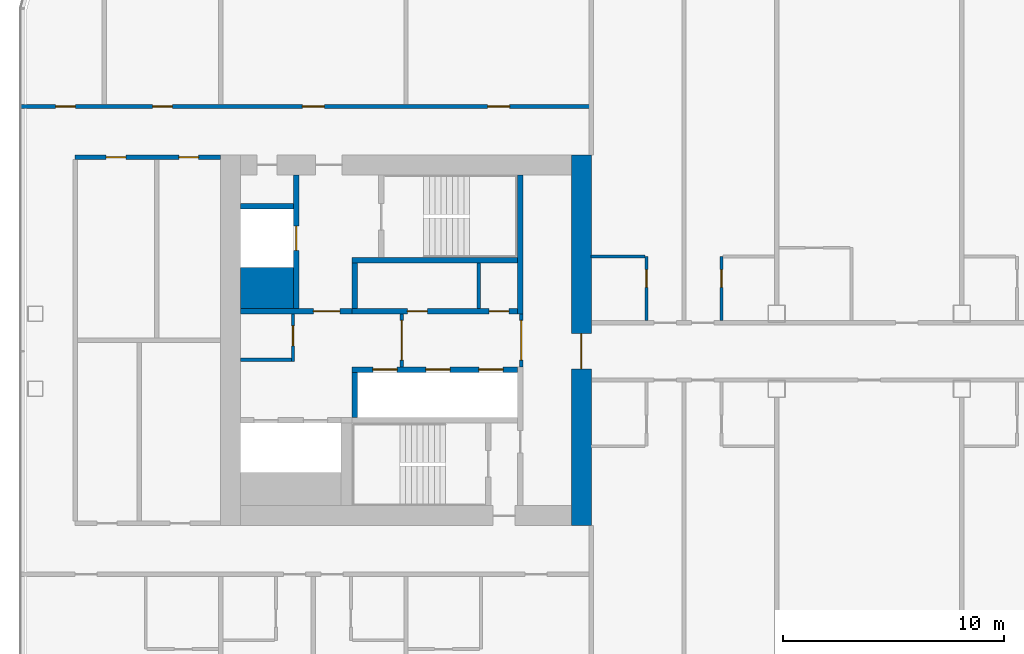
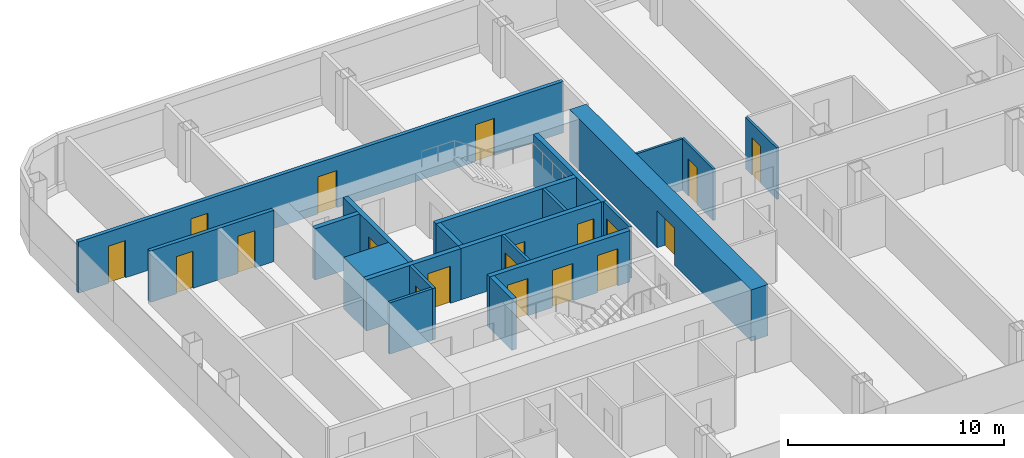
# One storey, part 13 of 26: 21 walls, 19 doors, 19 openings.
"""IFC4 building model written with IfcOpenShell, lengths in metres."""

import ifcopenshell
import ifcopenshell.guid

model = None  # the IFC model being written
_history = None  # IfcOwnerHistory: only IFC2X3 demands one
_inside = {}  # id of a spatial element -> (the spatial element, [elements in it])
_under = {}  # id of a project, library or spatial element -> (it, [spatial elements below it])
_declared = {}  # id of a project -> (the project, [libraries it declares])
_typed = {}  # id of a type object -> (the type object, [elements of that type])
_made_of = {}  # id of a material, layer set ... -> (it, [elements and type objects made of it])


def new_model(schema):
    """Start an empty IFC model of exactly this schema.

    Asked for "IFC4X3", IfcOpenShell would pick the latest addendum, in which some entities
    have other attributes; the version numbers below select the first issue.
    IFC2X3 requires an IfcOwnerHistory on every rooted entity: one is made here for all.
    """
    global model, _history
    if schema == "IFC4X3":
        model = ifcopenshell.file(schema_version=(4, 3, 0, 0))
    else:
        model = ifcopenshell.file(schema=schema)
    _inside.clear()
    _under.clear()
    _declared.clear()
    _typed.clear()
    _made_of.clear()
    _history = None
    if model.schema == "IFC2X3":
        org = make("IfcOrganization", Name="unknown")
        user = make(
            "IfcPersonAndOrganization",
            ThePerson=make("IfcPerson", FamilyName="unknown"),
            TheOrganization=org,
        )
        app = make(
            "IfcApplication",
            ApplicationDeveloper=org,
            Version="unknown",
            ApplicationFullName="unknown",
            ApplicationIdentifier="unknown",
        )
        _history = make(
            "IfcOwnerHistory",
            OwningUser=user,
            OwningApplication=app,
            ChangeAction="ADDED",
            CreationDate=0,
        )
    return model


def make(cls, **values):
    """One entity of the class cls with the attributes given. An attribute that is None is left unset."""
    return model.create_entity(
        cls, **{name: value for name, value in values.items() if value is not None}
    )


def rooted(cls, **values):
    """An entity with a GlobalId (a new one), such as an element, a storey or a relation."""
    return make(cls, GlobalId=ifcopenshell.guid.new(), OwnerHistory=_history, **values)


def si_unit(unit_type, name, prefix=None):
    """IfcSIUnit, for example si_unit("LENGTHUNIT", "METRE", prefix="MILLI")."""
    return make("IfcSIUnit", UnitType=unit_type, Prefix=prefix, Name=name)


def assignment(units):
    """IfcUnitAssignment: the units of a project."""
    return None if units is None else make("IfcUnitAssignment", Units=units)


def point(xyz):
    """IfcCartesianPoint."""
    return None if xyz is None else make("IfcCartesianPoint", Coordinates=xyz)


def direction(xyz):
    """IfcDirection."""
    return None if xyz is None else make("IfcDirection", DirectionRatios=xyz)


def frame(location, z_axis=None, x_axis=None):
    """IfcAxis2Placement3D, a coordinate frame: its origin and axes. An axis left out is left unset."""
    return make(
        "IfcAxis2Placement3D",
        Location=point(location),
        Axis=direction(z_axis),
        RefDirection=direction(x_axis),
    )


def frame_2d(location, x_axis=None):
    """IfcAxis2Placement2D, a coordinate frame in the plane: its origin and x axis."""
    return make(
        "IfcAxis2Placement2D", Location=point(location), RefDirection=direction(x_axis)
    )


def origin():
    """The frame at (0, 0, 0) with its axes left unset."""
    return frame((0.0, 0.0, 0.0))


def place(relative_to, where):
    """IfcLocalPlacement: puts the frame where relative to a parent placement (None: the world)."""
    return make(
        "IfcLocalPlacement", PlacementRelTo=relative_to, RelativePlacement=where
    )


def context(
    kind, dimensions, precision=None, world=None, true_north=None, identifier=None
):
    """IfcGeometricRepresentationContext, for example the 3D "Model" context."""
    return make(
        "IfcGeometricRepresentationContext",
        ContextIdentifier=identifier,
        ContextType=kind,
        CoordinateSpaceDimension=dimensions,
        Precision=precision,
        WorldCoordinateSystem=world,
        TrueNorth=true_north,
    )


def subcontext(parent, identifier, kind, view, scale=None):
    """IfcGeometricRepresentationSubContext, for example "Body" below "Model"."""
    return make(
        "IfcGeometricRepresentationSubContext",
        ContextIdentifier=identifier,
        ContextType=kind,
        ParentContext=parent,
        TargetScale=scale,
        TargetView=view,
    )


def project(units=None, contexts=None):
    """IfcProject with its units and contexts."""
    return rooted(
        "IfcProject",
        Name="project",
        RepresentationContexts=contexts,
        UnitsInContext=assignment(units),
    )


def spatial(cls, under=None, at=None, **own):
    """A site, building, storey or space (cls), placed at a placement, below another one or the project."""
    s = rooted(cls, ObjectPlacement=at, **own)
    if under is not None:
        _under.setdefault(under.id(), (under, []))[1].append(s)
    return s


def profile(cls, at=None, kind="AREA", **sizes):
    """A parametric profile (cls). Its sizes go by their IFC names, for example OverallWidth=200.0."""
    return make(cls, ProfileType=kind, Position=at, **sizes)


def rectangle(**sizes):
    """IfcRectangleProfileDef."""
    return profile("IfcRectangleProfileDef", **sizes)


def extrude(swept, where, along, depth):
    """IfcExtrudedAreaSolid: the profile swept, set in the frame where, extruded along a direction by depth."""
    return make(
        "IfcExtrudedAreaSolid",
        SweptArea=swept,
        Position=where,
        ExtrudedDirection=direction(along),
        Depth=depth,
    )


def shape(context_of_items, identifier, shape_type, items):
    """IfcShapeRepresentation: the items that make up one representation, for example the "Body"."""
    return make(
        "IfcShapeRepresentation",
        ContextOfItems=context_of_items,
        RepresentationIdentifier=identifier,
        RepresentationType=shape_type,
        Items=items,
    )


def material(Name=None, Category=None):
    """IfcMaterial."""
    return make("IfcMaterial", Name=Name, Category=Category)


def layer(
    of_material, thickness, ventilated=None, Name=None, Category=None, Priority=None
):
    """IfcMaterialLayer: one layer of a wall or slab, of a material (None: an air gap)."""
    return make(
        "IfcMaterialLayer",
        Material=of_material,
        LayerThickness=thickness,
        IsVentilated=ventilated,
        Name=Name,
        Category=Category,
        Priority=Priority,
    )


def layer_set(layers, Name=None):
    """IfcMaterialLayerSet."""
    return make("IfcMaterialLayerSet", MaterialLayers=layers, LayerSetName=Name)


def made_of(thing, what):
    """Note that an element or type object is made of a material, layer set ...; save() writes the relation."""
    if what is not None:
        _made_of.setdefault(what.id(), (what, []))[1].append(thing)
    return thing


def type_object(cls, material=None, **own):
    """A type object (cls), such as IfcWallType, which elements share."""
    return made_of(rooted(cls, **own), material)


def element(
    cls,
    number,
    at=None,
    inside=None,
    cuts=None,
    type_object=None,
    material=None,
    context=None,
    identifier="Body",
    shape_type=None,
    held_by="IfcProductDefinitionShape",
    body=None,
    shapes=None,
    **own,
):
    """One element of the class cls, such as IfcWall. Its Tag is "e" and its number.

    at: its placement. inside: the storey or other place that contains it. cuts: it is an
    opening in that element (IfcRelVoidsElement). A single representation is given by context,
    identifier, shape_type and body (its items); several are given by shapes. held_by: the class
    of the entity that holds the representations. save() writes the other relations.
    """
    e = rooted(cls, Tag="e%d" % number, ObjectPlacement=at, **own)
    if body is not None:
        shapes = [shape(context, identifier, shape_type, body)]
    if shapes is not None:
        e.Representation = make(held_by, Representations=shapes)
    if inside is not None:
        _inside.setdefault(inside.id(), (inside, []))[1].append(e)
    if cuts is not None:
        rooted(
            "IfcRelVoidsElement", RelatingBuildingElement=cuts, RelatedOpeningElement=e
        )
    if type_object is not None:
        _typed.setdefault(type_object.id(), (type_object, []))[1].append(e)
    return made_of(e, material)


def fill(opening, filler):
    """IfcRelFillsElement: the door or window that sits in an opening."""
    return rooted(
        "IfcRelFillsElement",
        RelatingOpeningElement=opening,
        RelatedBuildingElement=filler,
    )


def aggregate(whole, parts):
    """IfcRelAggregates: a whole, such as a stair, and the parts it consists of."""
    return rooted("IfcRelAggregates", RelatingObject=whole, RelatedObjects=parts)


def save(model, path):
    """Write the relations noted so far, then the file.

    IfcRelAggregates (storeys below a building ...), IfcRelContainedInSpatialStructure (elements
    in a storey), IfcRelDefinesByType, IfcRelAssociatesMaterial and IfcRelDeclares: one each for
    every whole, place, type object, material and project.
    """
    for whole, parts in _under.values():
        aggregate(whole, parts)
    for where, things in _inside.values():
        rooted(
            "IfcRelContainedInSpatialStructure",
            RelatedElements=things,
            RelatingStructure=where,
        )
    for kind, things in _typed.values():
        rooted("IfcRelDefinesByType", RelatedObjects=things, RelatingType=kind)
    for what, things in _made_of.values():
        rooted("IfcRelAssociatesMaterial", RelatedObjects=things, RelatingMaterial=what)
    for by, libraries in _declared.values():
        rooted("IfcRelDeclares", RelatingContext=by, RelatedDefinitions=libraries)
    model.write(path)


model = new_model("IFC4")

# Units and contexts
model_context = context("Model", 3, precision=1e-05, world=origin(), true_north=direction((0.0, 1.0)))
body_context = subcontext(model_context, "Body", "Model", "MODEL_VIEW")
ifc_project = project(units=[si_unit("LENGTHUNIT", "METRE"), si_unit("AREAUNIT", "SQUARE_METRE"), si_unit("VOLUMEUNIT", "CUBIC_METRE"), si_unit("PLANEANGLEUNIT", "RADIAN"), si_unit("MASSUNIT", "GRAM", prefix="KILO")], contexts=[model_context])

# Site, building, storey
site_placement = place(None, origin())
site = spatial("IfcSite", under=ifc_project, at=site_placement, CompositionType="ELEMENT")
building_placement = place(site_placement, origin())
building = spatial("IfcBuilding", under=site, at=building_placement, Name="Hakoniwa Tower and Hamabe Station Hall", CompositionType="ELEMENT")
storey_placement = place(building_placement, frame((0.0, 0.0, 172.60009765625)))
storey = spatial("IfcBuildingStorey", under=building, at=storey_placement, Name="L49", CompositionType="ELEMENT", Elevation=172.60009765625)

# Wall
ifc_material_1 = material(Name="Gypsum board partition", Category="gypsum")
ifc_layer_1 = layer(ifc_material_1, 0.125)
ifc_layer_set_1 = layer_set([ifc_layer_1], Name="Bathroom Partition 125")
wall_type_1 = type_object("IfcWallType", Name="Bathroom Partition 125", PredefinedType="PARTITIONING", material=ifc_layer_set_1)
wall_1_placement = place(storey_placement, frame((-16.81005859375, 3.800048828125, 0.0), z_axis=(0.0, 0.0, 1.0), x_axis=(1.0, 0.0, 0.0)))
element("IfcWall", 1, at=wall_1_placement, inside=storey, type_object=wall_type_1, Name="GW-L49-023", PredefinedType="PARTITIONING", context=body_context, shape_type="SweptSolid", body=[
    extrude(rectangle(XDim=2.447509765625, YDim=0.125, at=frame_2d((1.2236328125, 0.0))), origin(), (0.0, 0.0, 1.0), 2.89990234375),
])

# Wall, opening, door
wall_2_placement = place(storey_placement, frame((-14.300048828125, 0.89990234375, 0.0), z_axis=(0.0, 0.0, 1.0), x_axis=(0.0, 1.0, 0.0)))
wall_2 = element("IfcWall", 2, at=wall_2_placement, inside=storey, type_object=wall_type_1, Name="GW-L49-049", PredefinedType="PARTITIONING", context=body_context, shape_type="SweptSolid", body=[
    extrude(rectangle(XDim=2.900146484375, YDim=0.125, at=frame_2d((1.4501953125, 0.0))), origin(), (0.0, 0.0, 1.0), 2.89990234375),
])
opening_1_placement = place(wall_2_placement, frame((1.5, 0.0, 0.0)))
opening_1 = element("IfcOpeningElement", 3, at=opening_1_placement, cuts=wall_2, Name="Opening GD-G3D2-45", PredefinedType="OPENING", context=body_context, shape_type="SweptSolid", body=[
    extrude(rectangle(XDim=0.800048828125, YDim=2.10009765625, at=frame_2d((0.39990234375, 1.050048828125))), frame((0.0, 0.072509765625, 0.0), z_axis=(0.0, -1.0, 0.0), x_axis=(1.0, 0.0, 0.0)), (0.0, 0.0, 1.0), 0.14501953125),
])
ifc_material_2 = material(Name="Timber door leaf", Category="wood")
door_type_1 = type_object("IfcDoorType", Name="Bathroom Door 800", OperationType="SINGLE_SWING_LEFT", PredefinedType="DOOR", material=ifc_material_2)
door_1_placement = place(opening_1_placement, origin())
door_1 = element("IfcDoor", 4, at=door_1_placement, inside=storey, type_object=door_type_1, Name="Door GD-G3D2-45", OperationType="SINGLE_SWING_LEFT", OverallHeight=2.10009765625, OverallWidth=0.800048828125, PredefinedType="DOOR", context=body_context, shape_type="SweptSolid", body=[
    extrude(rectangle(XDim=0.800048828125, YDim=2.10009765625, at=frame_2d((0.39990234375, 1.050048828125))), frame((0.0, 0.02490234375, 0.0), z_axis=(0.0, -1.0, 0.0), x_axis=(1.0, 0.0, 0.0)), (0.0, 0.0, 1.0), 0.050048828125),
])
fill(opening_1, door_1)

wall_3_placement = place(storey_placement, frame((-10.89990234375, 0.89990234375, 0.0), z_axis=(0.0, 0.0, 1.0), x_axis=(0.0, 1.0, 0.0)))
wall_3 = element("IfcWall", 5, at=wall_3_placement, inside=storey, type_object=wall_type_1, Name="GW-L49-053", PredefinedType="PARTITIONING", context=body_context, shape_type="SweptSolid", body=[
    extrude(rectangle(XDim=2.900146484375, YDim=0.125, at=frame_2d((1.4501953125, 0.0))), origin(), (0.0, 0.0, 1.0), 2.89990234375),
])
opening_2_placement = place(wall_3_placement, frame((1.5, 0.0, 0.0)))
opening_2 = element("IfcOpeningElement", 6, at=opening_2_placement, cuts=wall_3, Name="Opening GD-G3D2-47", PredefinedType="OPENING", context=body_context, shape_type="SweptSolid", body=[
    extrude(rectangle(XDim=0.800048828125, YDim=2.10009765625, at=frame_2d((0.39990234375, 1.050048828125))), frame((0.0, 0.072509765625, 0.0), z_axis=(0.0, -1.0, 0.0), x_axis=(1.0, 0.0, 0.0)), (0.0, 0.0, 1.0), 0.14501953125),
])
door_2_placement = place(opening_2_placement, origin())
door_2 = element("IfcDoor", 7, at=door_2_placement, inside=storey, type_object=door_type_1, Name="Door GD-G3D2-47", OperationType="SINGLE_SWING_RIGHT", OverallHeight=2.10009765625, OverallWidth=0.800048828125, PredefinedType="DOOR", context=body_context, shape_type="SweptSolid", body=[
    extrude(rectangle(XDim=0.800048828125, YDim=2.10009765625, at=frame_2d((0.39990234375, 1.050048828125))), frame((0.0, 0.02490234375, 0.0), z_axis=(0.0, -1.0, 0.0), x_axis=(1.0, 0.0, 0.0)), (0.0, 0.0, 1.0), 0.050048828125),
])
fill(opening_2, door_2)

ifc_material_3 = material(Name="Gypsum board partition")
ifc_layer_2 = layer(ifc_material_3, 0.14990234375)
ifc_layer_set_2 = layer_set([ifc_layer_2], Name="CORE PARTITION 150 EI 60")
wall_type_2 = type_object("IfcWallType", Name="CORE PARTITION 150 EI 60", PredefinedType="PARTITIONING", material=ifc_layer_set_2)
wall_4_placement = place(storey_placement, frame((-19.97509765625, -1.199951171875, 0.0), z_axis=(0.0, 0.0, 1.0), x_axis=(0.0, 1.0, 0.0)))
wall_4 = element("IfcWall", 8, at=wall_4_placement, inside=storey, type_object=wall_type_2, Name="Core partition PL0 west", PredefinedType="PARTITIONING", context=body_context, shape_type="SweptSolid", body=[
    extrude(rectangle(XDim=2.39990234375, YDim=0.14990234375, at=frame_2d((1.199951171875, 0.0))), origin(), (0.0, 0.0, 1.0), 2.89990234375),
])
opening_3_placement = place(wall_4_placement, frame((0.300048828125, 0.0, 0.0)))
opening_3 = element("IfcOpeningElement", 9, at=opening_3_placement, cuts=wall_4, Name="Opening CD-W-LP0-18", PredefinedType="OPENING", context=body_context, shape_type="SweptSolid", body=[
    extrude(rectangle(XDim=1.800048828125, YDim=2.10009765625, at=frame_2d((0.89990234375, 1.050048828125))), frame((0.0, 0.0849609375, 0.0), z_axis=(0.0, -1.0, 0.0), x_axis=(1.0, 0.0, 0.0)), (0.0, 0.0, 1.0), 0.169921875),
])
ifc_material_4 = material(Name="Steel fire door", Category="steel")
door_type_2 = type_object("IfcDoorType", Name="CORE DOOR 1800 FD60", OperationType="DOUBLE_DOOR_SINGLE_SWING", PredefinedType="DOOR", material=ifc_material_4)
door_3_placement = place(opening_3_placement, origin())
door_3 = element("IfcDoor", 10, at=door_3_placement, inside=storey, type_object=door_type_2, Name="Lift lobby partition door", OperationType="DOUBLE_DOOR_SINGLE_SWING", OverallHeight=2.10009765625, OverallWidth=1.800048828125, PredefinedType="DOOR", context=body_context, shape_type="SweptSolid", body=[
    extrude(rectangle(XDim=1.800048828125, YDim=2.10009765625, at=frame_2d((0.89990234375, 1.050048828125))), frame((0.0, 0.02490234375, 0.0), z_axis=(0.0, -1.0, 0.0), x_axis=(1.0, 0.0, 0.0)), (0.0, 0.0, 1.0), 0.050048828125),
])
fill(opening_3, door_3)

wall_5_placement = place(storey_placement, frame((-25.39990234375, -1.199951171875, 0.0), z_axis=(0.0, 0.0, 1.0), x_axis=(0.0, 1.0, 0.0)))
wall_5 = element("IfcWall", 11, at=wall_5_placement, inside=storey, type_object=wall_type_2, Name="Core partition PL1 west", PredefinedType="PARTITIONING", context=body_context, shape_type="SweptSolid", body=[
    extrude(rectangle(XDim=2.39990234375, YDim=0.14990234375, at=frame_2d((1.199951171875, 0.0))), origin(), (0.0, 0.0, 1.0), 2.89990234375),
])
opening_4_placement = place(wall_5_placement, frame((0.300048828125, 0.0, 0.0)))
opening_4 = element("IfcOpeningElement", 12, at=opening_4_placement, cuts=wall_5, Name="Opening CD-W-LP1-18", PredefinedType="OPENING", context=body_context, shape_type="SweptSolid", body=[
    extrude(rectangle(XDim=1.800048828125, YDim=2.10009765625, at=frame_2d((0.89990234375, 1.050048828125))), frame((0.0, 0.0849609375, 0.0), z_axis=(0.0, -1.0, 0.0), x_axis=(1.0, 0.0, 0.0)), (0.0, 0.0, 1.0), 0.169921875),
])
door_4_placement = place(opening_4_placement, origin())
door_4 = element("IfcDoor", 13, at=door_4_placement, inside=storey, type_object=door_type_2, Name="Lift lobby partition door", OperationType="DOUBLE_DOOR_SINGLE_SWING", OverallHeight=2.10009765625, OverallWidth=1.800048828125, PredefinedType="DOOR", context=body_context, shape_type="SweptSolid", body=[
    extrude(rectangle(XDim=1.800048828125, YDim=2.10009765625, at=frame_2d((0.89990234375, 1.050048828125))), frame((0.0, 0.02490234375, 0.0), z_axis=(0.0, -1.0, 0.0), x_axis=(1.0, 0.0, 0.0)), (0.0, 0.0, 1.0), 0.050048828125),
])
fill(opening_4, door_4)

wall_6_placement = place(storey_placement, frame((-30.324951171875, -0.949951171875, 0.0), z_axis=(0.0, 0.0, 1.0), x_axis=(0.0, 1.0, 0.0)))
wall_6 = element("IfcWall", 14, at=wall_6_placement, inside=storey, type_object=wall_type_2, Name="Core partition PW0 west", PredefinedType="PARTITIONING", context=body_context, shape_type="SweptSolid", body=[
    extrude(rectangle(XDim=2.14990234375, YDim=0.14990234375, at=frame_2d((1.074951171875, 0.0))), origin(), (0.0, 0.0, 1.0), 2.89990234375),
])
opening_5_placement = place(wall_6_placement, frame((0.699951171875, 0.0, 0.0)))
opening_5 = element("IfcOpeningElement", 15, at=opening_5_placement, cuts=wall_6, Name="Opening CD-W-RM1-9", PredefinedType="OPENING", context=body_context, shape_type="SweptSolid", body=[
    extrude(rectangle(XDim=0.89990234375, YDim=2.10009765625, at=frame_2d((0.449951171875, 1.050048828125))), frame((0.0, 0.0849609375, 0.0), z_axis=(0.0, -1.0, 0.0), x_axis=(1.0, 0.0, 0.0)), (0.0, 0.0, 1.0), 0.169921875),
])
ifc_material_5 = material(Name="Steel fire door", Category="steel")
door_type_3 = type_object("IfcDoorType", Name="CORE DOOR 900 FD30", OperationType="NOTDEFINED", PredefinedType="DOOR", material=ifc_material_5)
door_5_placement = place(opening_5_placement, origin())
door_5 = element("IfcDoor", 16, at=door_5_placement, inside=storey, type_object=door_type_3, Name="Store room door", OperationType="SINGLE_SWING_RIGHT", OverallHeight=2.10009765625, OverallWidth=0.89990234375, PredefinedType="DOOR", context=body_context, shape_type="SweptSolid", body=[
    extrude(rectangle(XDim=0.89990234375, YDim=2.10009765625, at=frame_2d((0.449951171875, 1.050048828125))), frame((0.0, 0.02490234375, 0.0), z_axis=(0.0, -1.0, 0.0), x_axis=(1.0, 0.0, 0.0)), (0.0, 0.0, 1.0), 0.050048828125),
])
fill(opening_5, door_5)

# Walls
wall_7_placement = place(storey_placement, frame((-32.699951171875, -0.875, 0.0), z_axis=(0.0, 0.0, 1.0), x_axis=(1.0, 0.0, 0.0)))
element("IfcWall", 17, at=wall_7_placement, inside=storey, type_object=wall_type_2, Name="Core partition PS west", PredefinedType="PARTITIONING", context=body_context, shape_type="SweptSolid", body=[
    extrude(rectangle(XDim=2.300048828125, YDim=0.14990234375, at=frame_2d((1.14990234375, 0.0))), origin(), (0.0, 0.0, 1.0), 2.89990234375),
])
wall_8_placement = place(storey_placement, frame((-21.89990234375, 1.449951171875, 0.0), z_axis=(0.0, 0.0, 1.0), x_axis=(0.0, 1.0, 0.0)))
element("IfcWall", 18, at=wall_8_placement, inside=storey, type_object=wall_type_2, Name="Core partition PFLR0 west", PredefinedType="PARTITIONING", context=body_context, shape_type="SweptSolid", body=[
    extrude(rectangle(XDim=2.050048828125, YDim=0.14990234375, at=frame_2d((1.02490234375, 0.0))), origin(), (0.0, 0.0, 1.0), 2.89990234375),
])

# Wall, opening, door
ifc_material_6 = material(Name="Concrete C66", Category="concrete")
ifc_layer_3 = layer(ifc_material_6, 0.89990234375)
ifc_layer_set_3 = layer_set([ifc_layer_3], Name="CORE WALL 900 C66")
wall_type_3 = type_object("IfcWallType", Name="CORE WALL 900 C66", PredefinedType="SHEAR", material=ifc_layer_set_3)
wall_9_placement = place(storey_placement, frame((-17.25, -8.39990234375, 0.0), z_axis=(0.0, 0.0, 1.0), x_axis=(0.0, 1.0, 0.0)))
wall_9 = element("IfcWall", 19, at=wall_9_placement, inside=storey, type_object=wall_type_3, Name="Core wall INNER west", PredefinedType="SHEAR", context=body_context, shape_type="SweptSolid", body=[
    extrude(rectangle(XDim=16.7998046875, YDim=0.89990234375, at=frame_2d((8.39990234375, 0.0))), origin(), (0.0, 0.0, 1.0), 2.89990234375),
])
opening_6_placement = place(wall_9_placement, frame((7.10009765625, 0.0, 0.0)))
opening_6 = element("IfcOpeningElement", 20, at=opening_6_placement, cuts=wall_9, Name="Opening CD-W-IN1-16", PredefinedType="OPENING", context=body_context, shape_type="SweptSolid", body=[
    extrude(rectangle(XDim=1.60009765625, YDim=2.10009765625, at=frame_2d((0.800048828125, 1.050048828125))), frame((0.0, 0.4599609375, 0.0), z_axis=(0.0, -1.0, 0.0), x_axis=(1.0, 0.0, 0.0)), (0.0, 0.0, 1.0), 0.919921875),
])
ifc_material_7 = material(Name="Steel fire door", Category="steel")
door_type_4 = type_object("IfcDoorType", Name="CORE DOOR 1600 FD60", OperationType="DOUBLE_DOOR_SINGLE_SWING", PredefinedType="DOOR", material=ifc_material_7)
door_6_placement = place(opening_6_placement, origin())
door_6 = element("IfcDoor", 21, at=door_6_placement, inside=storey, type_object=door_type_4, Name="Lift lobby door", OperationType="DOUBLE_DOOR_SINGLE_SWING", OverallHeight=2.10009765625, OverallWidth=1.60009765625, PredefinedType="DOOR", context=body_context, shape_type="SweptSolid", body=[
    extrude(rectangle(XDim=1.60009765625, YDim=2.10009765625, at=frame_2d((0.800048828125, 1.050048828125))), frame((0.0, 0.02490234375, 0.0), z_axis=(0.0, -1.0, 0.0), x_axis=(1.0, 0.0, 0.0)), (0.0, 0.0, 1.0), 0.050048828125),
])
fill(opening_6, door_6)

# Walls
ifc_material_8 = material(Name="Concrete C66", Category="concrete")
ifc_layer_4 = layer(ifc_material_8, 1.85009765625)
ifc_layer_set_4 = layer_set([ifc_layer_4], Name="CORE WEB WALL 1850 C66")
wall_type_4 = type_object("IfcWallType", Name="CORE WEB WALL 1850 C66", PredefinedType="SHEAR", material=ifc_layer_set_4)
wall_10_placement = place(storey_placement, frame((-32.699951171875, 2.375, 0.0), z_axis=(0.0, 0.0, 1.0), x_axis=(1.0, 0.0, 0.0)))
element("IfcWall", 22, at=wall_10_placement, inside=storey, type_object=wall_type_4, Name="Core wall CA west", PredefinedType="SHEAR", context=body_context, shape_type="SweptSolid", body=[
    extrude(rectangle(XDim=2.39990234375, YDim=1.85009765625, at=frame_2d((1.199951171875, 0.0))), origin(), (0.0, 0.0, 1.0), 2.89990234375),
])
ifc_material_9 = material(Name="Concrete C66", Category="concrete")
ifc_layer_5 = layer(ifc_material_9, 0.25)
ifc_layer_set_5 = layer_set([ifc_layer_5], Name="CORE WEB WALL 250 C66")
wall_type_5 = type_object("IfcWallType", Name="CORE WEB WALL 250 C66", PredefinedType="SHEAR", material=ifc_layer_set_5)
wall_11_placement = place(storey_placement, frame((-20.02490234375, 1.199951171875, 0.0), z_axis=(0.0, 0.0, 1.0), x_axis=(0.0, 1.0, 0.0)))
element("IfcWall", 23, at=wall_11_placement, inside=storey, type_object=wall_type_5, Name="Core wall W1N west", PredefinedType="SHEAR", context=body_context, shape_type="SweptSolid", body=[
    extrude(rectangle(XDim=6.300048828125, YDim=0.25, at=frame_2d((3.14990234375, 0.0))), origin(), (0.0, 0.0, 1.0), 2.89990234375),
])

# Wall, openings, doors
wall_12_placement = place(storey_placement, frame((-27.64990234375, 1.324951171875, 0.0), z_axis=(0.0, 0.0, 1.0), x_axis=(1.0, 0.0, 0.0)))
wall_12 = element("IfcWall", 24, at=wall_12_placement, inside=storey, type_object=wall_type_5, Name="Core wall NF west", PredefinedType="SHEAR", context=body_context, shape_type="SweptSolid", body=[
    extrude(rectangle(XDim=7.5, YDim=0.25, at=frame_2d((3.75, 0.0))), origin(), (0.0, 0.0, 1.0), 2.89990234375),
])
opening_7_placement = place(wall_12_placement, frame((6.21240234375, 0.0, 0.0)))
opening_7 = element("IfcOpeningElement", 25, at=opening_7_placement, cuts=wall_12, Name="Opening CD-W-FRLR0-9", PredefinedType="OPENING", context=body_context, shape_type="SweptSolid", body=[
    extrude(rectangle(XDim=0.89990234375, YDim=2.10009765625, at=frame_2d((0.449951171875, 1.050048828125))), frame((0.0, 0.135009765625, 0.0), z_axis=(0.0, -1.0, 0.0), x_axis=(1.0, 0.0, 0.0)), (0.0, 0.0, 1.0), 0.27001953125),
])
opening_8_placement = place(wall_12_placement, frame((2.512451171875, 0.0, 0.0)))
opening_8 = element("IfcOpeningElement", 26, at=opening_8_placement, cuts=wall_12, Name="Opening CD-W-FRLR1-9", PredefinedType="OPENING", context=body_context, shape_type="SweptSolid", body=[
    extrude(rectangle(XDim=0.89990234375, YDim=2.10009765625, at=frame_2d((0.449951171875, 1.050048828125))), frame((0.0, 0.135009765625, 0.0), z_axis=(0.0, -1.0, 0.0), x_axis=(1.0, 0.0, 0.0)), (0.0, 0.0, 1.0), 0.27001953125),
])
door_7_placement = place(opening_7_placement, origin())
door_7 = element("IfcDoor", 27, at=door_7_placement, inside=storey, type_object=door_type_3, Name="Store room door", OperationType="SINGLE_SWING_RIGHT", OverallHeight=2.10009765625, OverallWidth=0.89990234375, PredefinedType="DOOR", context=body_context, shape_type="SweptSolid", body=[
    extrude(rectangle(XDim=0.89990234375, YDim=2.10009765625, at=frame_2d((0.449951171875, 1.050048828125))), frame((0.0, 0.02490234375, 0.0), z_axis=(0.0, -1.0, 0.0), x_axis=(1.0, 0.0, 0.0)), (0.0, 0.0, 1.0), 0.050048828125),
])
fill(opening_7, door_7)
door_8_placement = place(opening_8_placement, origin())
door_8 = element("IfcDoor", 28, at=door_8_placement, inside=storey, type_object=door_type_3, Name="Store room door", OperationType="SINGLE_SWING_LEFT", OverallHeight=2.10009765625, OverallWidth=0.89990234375, PredefinedType="DOOR", context=body_context, shape_type="SweptSolid", body=[
    extrude(rectangle(XDim=0.89990234375, YDim=2.10009765625, at=frame_2d((0.449951171875, 1.050048828125))), frame((0.0, 0.02490234375, 0.0), z_axis=(0.0, -1.0, 0.0), x_axis=(1.0, 0.0, 0.0)), (0.0, 0.0, 1.0), 0.050048828125),
])
fill(opening_8, door_8)

# Walls
wall_13_placement = place(storey_placement, frame((-27.52490234375, 1.449951171875, 0.0), z_axis=(0.0, 0.0, 1.0), x_axis=(0.0, 1.0, 0.0)))
element("IfcWall", 29, at=wall_13_placement, inside=storey, type_object=wall_type_5, Name="Core wall NE west", PredefinedType="SHEAR", context=body_context, shape_type="SweptSolid", body=[
    extrude(rectangle(XDim=2.050048828125, YDim=0.25, at=frame_2d((1.02490234375, 0.0))), origin(), (0.0, 0.0, 1.0), 2.89990234375),
])
wall_14_placement = place(storey_placement, frame((-27.64990234375, 3.625, 0.0), z_axis=(0.0, 0.0, 1.0), x_axis=(1.0, 0.0, 0.0)))
element("IfcWall", 30, at=wall_14_placement, inside=storey, type_object=wall_type_5, Name="Core wall NR west", PredefinedType="SHEAR", context=body_context, shape_type="SweptSolid", body=[
    extrude(rectangle(XDim=7.5, YDim=0.25, at=frame_2d((3.75, 0.0))), origin(), (0.0, 0.0, 1.0), 2.89990234375),
])

# Wall, opening, door
wall_15_placement = place(storey_placement, frame((-32.699951171875, 1.324951171875, 0.0), z_axis=(0.0, 0.0, 1.0), x_axis=(1.0, 0.0, 0.0)))
wall_15 = element("IfcWall", 31, at=wall_15_placement, inside=storey, type_object=wall_type_5, Name="Core wall ELN west", PredefinedType="SHEAR", context=body_context, shape_type="SweptSolid", body=[
    extrude(rectangle(XDim=5.050048828125, YDim=0.25, at=frame_2d((2.52490234375, 0.0))), origin(), (0.0, 0.0, 1.0), 2.89990234375),
])
opening_9_placement = place(wall_15_placement, frame((3.300048828125, 0.0, 0.0)))
opening_9 = element("IfcOpeningElement", 32, at=opening_9_placement, cuts=wall_15, Name="Opening CD-W-FL-12", PredefinedType="OPENING", context=body_context, shape_type="SweptSolid", body=[
    extrude(rectangle(XDim=1.199951171875, YDim=2.10009765625, at=frame_2d((0.60009765625, 1.050048828125))), frame((0.0, 0.135009765625, 0.0), z_axis=(0.0, -1.0, 0.0), x_axis=(1.0, 0.0, 0.0)), (0.0, 0.0, 1.0), 0.27001953125),
])
ifc_material_10 = material(Name="Steel fire door", Category="steel")
door_type_5 = type_object("IfcDoorType", Name="CORE DOOR 1200 FD60", OperationType="DOUBLE_DOOR_SINGLE_SWING", PredefinedType="DOOR", material=ifc_material_10)
door_9_placement = place(opening_9_placement, origin())
door_9 = element("IfcDoor", 33, at=door_9_placement, inside=storey, type_object=door_type_5, Name="Stair vestibule door to the fire-fighting lobby", OperationType="DOUBLE_DOOR_SINGLE_SWING", OverallHeight=2.10009765625, OverallWidth=1.199951171875, PredefinedType="DOOR", context=body_context, shape_type="SweptSolid", body=[
    extrude(rectangle(XDim=1.199951171875, YDim=2.10009765625, at=frame_2d((0.60009765625, 1.050048828125))), frame((0.0, 0.02490234375, 0.0), z_axis=(0.0, -1.0, 0.0), x_axis=(1.0, 0.0, 0.0)), (0.0, 0.0, 1.0), 0.050048828125),
])
fill(opening_9, door_9)

wall_16_placement = place(storey_placement, frame((-30.175048828125, 1.449951171875, 0.0), z_axis=(0.0, 0.0, 1.0), x_axis=(0.0, 1.0, 0.0)))
wall_16 = element("IfcWall", 34, at=wall_16_placement, inside=storey, type_object=wall_type_5, Name="Core wall FFF west", PredefinedType="SHEAR", context=body_context, shape_type="SweptSolid", body=[
    extrude(rectangle(XDim=6.050048828125, YDim=0.25, at=frame_2d((3.02490234375, 0.0))), origin(), (0.0, 0.0, 1.0), 2.89990234375),
])
opening_10_placement = place(wall_16_placement, frame((2.625, 0.0, 0.0)))
opening_10 = element("IfcOpeningElement", 35, at=opening_10_placement, cuts=wall_16, Name="Opening LD-FF1", PredefinedType="OPENING", context=body_context, shape_type="SweptSolid", body=[
    extrude(rectangle(XDim=1.10009765625, YDim=2.10009765625, at=frame_2d((0.550048828125, 1.050048828125))), frame((0.0, 0.135009765625, 0.0), z_axis=(0.0, -1.0, 0.0), x_axis=(1.0, 0.0, 0.0)), (0.0, 0.0, 1.0), 0.27001953125),
])
ifc_material_11 = material(Name="Stainless steel SUS304", Category="steel")
door_type_6 = type_object("IfcDoorType", Name="LIFT LANDING DOOR 1100 FD60", OperationType="DOUBLE_DOOR_SLIDING", PredefinedType="DOOR", material=ifc_material_11)
door_10_placement = place(opening_10_placement, origin())
door_10 = element("IfcDoor", 36, at=door_10_placement, inside=storey, type_object=door_type_6, Name="Lift landing door FF1 L49", OperationType="DOUBLE_DOOR_SLIDING", OverallHeight=2.10009765625, OverallWidth=1.10009765625, PredefinedType="DOOR", context=body_context, shape_type="SweptSolid", body=[
    extrude(rectangle(XDim=1.10009765625, YDim=2.10009765625, at=frame_2d((0.550048828125, 1.050048828125))), frame((0.0, 0.02490234375, 0.0), z_axis=(0.0, -1.0, 0.0), x_axis=(1.0, 0.0, 0.0)), (0.0, 0.0, 1.0), 0.050048828125),
])
fill(opening_10, door_10)

# Wall
wall_17_placement = place(storey_placement, frame((-32.699951171875, 6.074951171875, 0.0), z_axis=(0.0, 0.0, 1.0), x_axis=(1.0, 0.0, 0.0)))
element("IfcWall", 37, at=wall_17_placement, inside=storey, type_object=wall_type_5, Name="Core wall C2 west", PredefinedType="SHEAR", context=body_context, shape_type="SweptSolid", body=[
    extrude(rectangle(XDim=2.39990234375, YDim=0.25, at=frame_2d((1.199951171875, 0.0))), origin(), (0.0, 0.0, 1.0), 2.89990234375),
])

# Wall, openings, doors
wall_18_placement = place(storey_placement, frame((-27.64990234375, -1.324951171875, 0.0), z_axis=(0.0, 0.0, 1.0), x_axis=(1.0, 0.0, 0.0)))
wall_18 = element("IfcWall", 38, at=wall_18_placement, inside=storey, type_object=wall_type_5, Name="Core wall SF west", PredefinedType="SHEAR", context=body_context, shape_type="SweptSolid", body=[
    extrude(rectangle(XDim=7.5, YDim=0.25, at=frame_2d((3.75, 0.0))), origin(), (0.0, 0.0, 1.0), 2.89990234375),
])
opening_11_placement = place(wall_18_placement, frame((5.75, 0.0, 0.0)))
opening_11 = element("IfcOpeningElement", 39, at=opening_11_placement, cuts=wall_18, Name="Opening LD-HR1", PredefinedType="OPENING", context=body_context, shape_type="SweptSolid", body=[
    extrude(rectangle(XDim=1.10009765625, YDim=2.10009765625, at=frame_2d((0.550048828125, 1.050048828125))), frame((0.0, 0.135009765625, 0.0), z_axis=(0.0, -1.0, 0.0), x_axis=(1.0, 0.0, 0.0)), (0.0, 0.0, 1.0), 0.27001953125),
])
opening_12_placement = place(wall_18_placement, frame((3.35009765625, 0.0, 0.0)))
opening_12 = element("IfcOpeningElement", 40, at=opening_12_placement, cuts=wall_18, Name="Opening LD-HR2", PredefinedType="OPENING", context=body_context, shape_type="SweptSolid", body=[
    extrude(rectangle(XDim=1.10009765625, YDim=2.10009765625, at=frame_2d((0.550048828125, 1.050048828125))), frame((0.0, 0.135009765625, 0.0), z_axis=(0.0, -1.0, 0.0), x_axis=(1.0, 0.0, 0.0)), (0.0, 0.0, 1.0), 0.27001953125),
])
opening_13_placement = place(wall_18_placement, frame((0.949951171875, 0.0, 0.0)))
opening_13 = element("IfcOpeningElement", 41, at=opening_13_placement, cuts=wall_18, Name="Opening LD-HR3", PredefinedType="OPENING", context=body_context, shape_type="SweptSolid", body=[
    extrude(rectangle(XDim=1.10009765625, YDim=2.10009765625, at=frame_2d((0.550048828125, 1.050048828125))), frame((0.0, 0.135009765625, 0.0), z_axis=(0.0, -1.0, 0.0), x_axis=(1.0, 0.0, 0.0)), (0.0, 0.0, 1.0), 0.27001953125),
])
door_11_placement = place(opening_11_placement, origin())
door_11 = element("IfcDoor", 42, at=door_11_placement, inside=storey, type_object=door_type_6, Name="Lift landing door HR1 L49", OperationType="DOUBLE_DOOR_SLIDING", OverallHeight=2.10009765625, OverallWidth=1.10009765625, PredefinedType="DOOR", context=body_context, shape_type="SweptSolid", body=[
    extrude(rectangle(XDim=1.10009765625, YDim=2.10009765625, at=frame_2d((0.550048828125, 1.050048828125))), frame((0.0, 0.02490234375, 0.0), z_axis=(0.0, -1.0, 0.0), x_axis=(1.0, 0.0, 0.0)), (0.0, 0.0, 1.0), 0.050048828125),
])
fill(opening_11, door_11)
door_12_placement = place(opening_12_placement, origin())
door_12 = element("IfcDoor", 43, at=door_12_placement, inside=storey, type_object=door_type_6, Name="Lift landing door HR2 L49", OperationType="DOUBLE_DOOR_SLIDING", OverallHeight=2.10009765625, OverallWidth=1.10009765625, PredefinedType="DOOR", context=body_context, shape_type="SweptSolid", body=[
    extrude(rectangle(XDim=1.10009765625, YDim=2.10009765625, at=frame_2d((0.550048828125, 1.050048828125))), frame((0.0, 0.02490234375, 0.0), z_axis=(0.0, -1.0, 0.0), x_axis=(1.0, 0.0, 0.0)), (0.0, 0.0, 1.0), 0.050048828125),
])
fill(opening_12, door_12)
door_13_placement = place(opening_13_placement, origin())
door_13 = element("IfcDoor", 44, at=door_13_placement, inside=storey, type_object=door_type_6, Name="Lift landing door HR3 L49", OperationType="DOUBLE_DOOR_SLIDING", OverallHeight=2.10009765625, OverallWidth=1.10009765625, PredefinedType="DOOR", context=body_context, shape_type="SweptSolid", body=[
    extrude(rectangle(XDim=1.10009765625, YDim=2.10009765625, at=frame_2d((0.550048828125, 1.050048828125))), frame((0.0, 0.02490234375, 0.0), z_axis=(0.0, -1.0, 0.0), x_axis=(1.0, 0.0, 0.0)), (0.0, 0.0, 1.0), 0.050048828125),
])
fill(opening_13, door_13)

# Wall
wall_19_placement = place(storey_placement, frame((-27.52490234375, -3.5, 0.0), z_axis=(0.0, 0.0, 1.0), x_axis=(0.0, 1.0, 0.0)))
element("IfcWall", 45, at=wall_19_placement, inside=storey, type_object=wall_type_5, Name="Core wall SE west", PredefinedType="SHEAR", context=body_context, shape_type="SweptSolid", body=[
    extrude(rectangle(XDim=2.050048828125, YDim=0.25, at=frame_2d((1.02490234375, 0.0))), origin(), (0.0, 0.0, 1.0), 2.89990234375),
])

# Wall, openings, doors
ifc_material_12 = material(Name="Fire-rated gypsum board partition", Category="gypsum")
ifc_layer_6 = layer(ifc_material_12, 0.199951171875)
ifc_layer_set_6 = layer_set([ifc_layer_6], Name="Corridor Wall 200")
wall_type_6 = type_object("IfcWallType", Name="Corridor Wall 200", PredefinedType="PARTITIONING", material=ifc_layer_set_6)
wall_20_placement = place(storey_placement, frame((-40.199951171875, 8.300048828125, 0.0), z_axis=(0.0, 0.0, 1.0), x_axis=(1.0, 0.0, 0.0)))
wall_20 = element("IfcWall", 46, at=wall_20_placement, inside=storey, type_object=wall_type_6, Name="GW-L49-029", PredefinedType="PARTITIONING", context=body_context, shape_type="SweptSolid", body=[
    extrude(rectangle(XDim=6.599853515625, YDim=0.199951171875, at=frame_2d((3.2998046875, 0.0))), origin(), (0.0, 0.0, 1.0), 2.89990234375),
])
opening_14_placement = place(wall_20_placement, frame((1.39990234375, 0.0, 0.0)))
opening_14 = element("IfcOpeningElement", 47, at=opening_14_placement, cuts=wall_20, Name="Opening GD-G3D2-31", PredefinedType="OPENING", context=body_context, shape_type="SweptSolid", body=[
    extrude(rectangle(XDim=0.89990234375, YDim=2.10009765625, at=frame_2d((0.449951171875, 1.050048828125))), frame((0.0, 0.10986328125, 0.0), z_axis=(0.0, -1.0, 0.0), x_axis=(1.0, 0.0, 0.0)), (0.0, 0.0, 1.0), 0.219970703125),
])
opening_15_placement = place(wall_20_placement, frame((4.699951171875, 0.0, 0.0)))
opening_15 = element("IfcOpeningElement", 48, at=opening_15_placement, cuts=wall_20, Name="Opening GD-G3D2-32", PredefinedType="OPENING", context=body_context, shape_type="SweptSolid", body=[
    extrude(rectangle(XDim=0.89990234375, YDim=2.10009765625, at=frame_2d((0.449951171875, 1.050048828125))), frame((0.0, 0.10986328125, 0.0), z_axis=(0.0, -1.0, 0.0), x_axis=(1.0, 0.0, 0.0)), (0.0, 0.0, 1.0), 0.219970703125),
])
ifc_material_13 = material(Name="Timber door leaf", Category="wood")
door_type_7 = type_object("IfcDoorType", Name="Service Door 900", OperationType="SINGLE_SWING_LEFT", PredefinedType="DOOR", material=ifc_material_13)
door_14_placement = place(opening_14_placement, origin())
door_14 = element("IfcDoor", 49, at=door_14_placement, inside=storey, type_object=door_type_7, Name="Door GD-G3D2-31", OperationType="SINGLE_SWING_RIGHT", OverallHeight=2.10009765625, OverallWidth=0.89990234375, PredefinedType="DOOR", context=body_context, shape_type="SweptSolid", body=[
    extrude(rectangle(XDim=0.89990234375, YDim=2.10009765625, at=frame_2d((0.449951171875, 1.050048828125))), frame((0.0, 0.02490234375, 0.0), z_axis=(0.0, -1.0, 0.0), x_axis=(1.0, 0.0, 0.0)), (0.0, 0.0, 1.0), 0.050048828125),
])
fill(opening_14, door_14)
door_15_placement = place(opening_15_placement, origin())
door_15 = element("IfcDoor", 50, at=door_15_placement, inside=storey, type_object=door_type_7, Name="Door GD-G3D2-32", OperationType="SINGLE_SWING_LEFT", OverallHeight=2.10009765625, OverallWidth=0.89990234375, PredefinedType="DOOR", context=body_context, shape_type="SweptSolid", body=[
    extrude(rectangle(XDim=0.89990234375, YDim=2.10009765625, at=frame_2d((0.449951171875, 1.050048828125))), frame((0.0, 0.02490234375, 0.0), z_axis=(0.0, -1.0, 0.0), x_axis=(1.0, 0.0, 0.0)), (0.0, 0.0, 1.0), 0.050048828125),
])
fill(opening_15, door_15)

wall_21_placement = place(storey_placement, frame((-42.699951171875, 10.60009765625, 0.0), z_axis=(0.0, 0.0, 1.0), x_axis=(1.0, 0.0, 0.0)))
wall_21 = element("IfcWall", 51, at=wall_21_placement, inside=storey, type_object=wall_type_6, Name="GW-L49-031", PredefinedType="PARTITIONING", context=body_context, shape_type="SweptSolid", body=[
    extrude(rectangle(XDim=25.89990234375, YDim=0.199951171875, at=frame_2d((12.949951171875, 0.0))), origin(), (0.0, 0.0, 1.0), 2.89990234375),
])
opening_16_placement = place(wall_21_placement, frame((1.610107421875, 0.0, 0.0)))
opening_16 = element("IfcOpeningElement", 52, at=opening_16_placement, cuts=wall_21, Name="Opening GD-G3D2-35", PredefinedType="OPENING", context=body_context, shape_type="SweptSolid", body=[
    extrude(rectangle(XDim=0.89990234375, YDim=2.10009765625, at=frame_2d((0.449951171875, 1.050048828125))), frame((0.0, 0.10986328125, 0.0), z_axis=(0.0, -1.0, 0.0), x_axis=(1.0, 0.0, 0.0)), (0.0, 0.0, 1.0), 0.219970703125),
])
opening_17_placement = place(wall_21_placement, frame((6.010009765625, 0.0, 0.0)))
opening_17 = element("IfcOpeningElement", 53, at=opening_17_placement, cuts=wall_21, Name="Opening GD-G3D2-36", PredefinedType="OPENING", context=body_context, shape_type="SweptSolid", body=[
    extrude(rectangle(XDim=0.89990234375, YDim=2.10009765625, at=frame_2d((0.449951171875, 1.050048828125))), frame((0.0, 0.10986328125, 0.0), z_axis=(0.0, -1.0, 0.0), x_axis=(1.0, 0.0, 0.0)), (0.0, 0.0, 1.0), 0.219970703125),
])
opening_18_placement = place(wall_21_placement, frame((12.800048828125, 0.0, 0.0)))
opening_18 = element("IfcOpeningElement", 54, at=opening_18_placement, cuts=wall_21, Name="Opening GD-G3D2-37", PredefinedType="OPENING", context=body_context, shape_type="SweptSolid", body=[
    extrude(rectangle(XDim=1.0, YDim=2.10009765625, at=frame_2d((0.5, 1.050048828125))), frame((0.0, 0.10986328125, 0.0), z_axis=(0.0, -1.0, 0.0), x_axis=(1.0, 0.0, 0.0)), (0.0, 0.0, 1.0), 0.219970703125),
])
opening_19_placement = place(wall_21_placement, frame((21.199951171875, 0.0, 0.0)))
opening_19 = element("IfcOpeningElement", 55, at=opening_19_placement, cuts=wall_21, Name="Opening GD-G3D2-38", PredefinedType="OPENING", context=body_context, shape_type="SweptSolid", body=[
    extrude(rectangle(XDim=1.0, YDim=2.10009765625, at=frame_2d((0.5, 1.050048828125))), frame((0.0, 0.10986328125, 0.0), z_axis=(0.0, -1.0, 0.0), x_axis=(1.0, 0.0, 0.0)), (0.0, 0.0, 1.0), 0.219970703125),
])
ifc_material_14 = material(Name="Timber door leaf", Category="wood")
door_type_8 = type_object("IfcDoorType", Name="Guest Entrance Door 1000", OperationType="SINGLE_SWING_LEFT", PredefinedType="DOOR", material=ifc_material_14)
door_16_placement = place(opening_18_placement, origin())
door_16 = element("IfcDoor", 56, at=door_16_placement, inside=storey, type_object=door_type_8, Name="Door GD-G3D2-37", OperationType="SINGLE_SWING_LEFT", OverallHeight=2.10009765625, OverallWidth=1.0, PredefinedType="DOOR", context=body_context, shape_type="SweptSolid", body=[
    extrude(rectangle(XDim=1.0, YDim=2.10009765625, at=frame_2d((0.5, 1.050048828125))), frame((0.0, 0.02490234375, 0.0), z_axis=(0.0, -1.0, 0.0), x_axis=(1.0, 0.0, 0.0)), (0.0, 0.0, 1.0), 0.050048828125),
])
fill(opening_18, door_16)
door_17_placement = place(opening_19_placement, origin())
door_17 = element("IfcDoor", 57, at=door_17_placement, inside=storey, type_object=door_type_8, Name="Door GD-G3D2-38", OperationType="SINGLE_SWING_RIGHT", OverallHeight=2.10009765625, OverallWidth=1.0, PredefinedType="DOOR", context=body_context, shape_type="SweptSolid", body=[
    extrude(rectangle(XDim=1.0, YDim=2.10009765625, at=frame_2d((0.5, 1.050048828125))), frame((0.0, 0.02490234375, 0.0), z_axis=(0.0, -1.0, 0.0), x_axis=(1.0, 0.0, 0.0)), (0.0, 0.0, 1.0), 0.050048828125),
])
fill(opening_19, door_17)
door_18_placement = place(opening_16_placement, origin())
door_18 = element("IfcDoor", 58, at=door_18_placement, inside=storey, type_object=door_type_7, Name="Door GD-G3D2-35", OperationType="SINGLE_SWING_LEFT", OverallHeight=2.10009765625, OverallWidth=0.89990234375, PredefinedType="DOOR", context=body_context, shape_type="SweptSolid", body=[
    extrude(rectangle(XDim=0.89990234375, YDim=2.10009765625, at=frame_2d((0.449951171875, 1.050048828125))), frame((0.0, 0.02490234375, 0.0), z_axis=(0.0, -1.0, 0.0), x_axis=(1.0, 0.0, 0.0)), (0.0, 0.0, 1.0), 0.050048828125),
])
fill(opening_16, door_18)
door_19_placement = place(opening_17_placement, origin())
door_19 = element("IfcDoor", 59, at=door_19_placement, inside=storey, type_object=door_type_7, Name="Door GD-G3D2-36", OperationType="SINGLE_SWING_RIGHT", OverallHeight=2.10009765625, OverallWidth=0.89990234375, PredefinedType="DOOR", context=body_context, shape_type="SweptSolid", body=[
    extrude(rectangle(XDim=0.89990234375, YDim=2.10009765625, at=frame_2d((0.449951171875, 1.050048828125))), frame((0.0, 0.02490234375, 0.0), z_axis=(0.0, -1.0, 0.0), x_axis=(1.0, 0.0, 0.0)), (0.0, 0.0, 1.0), 0.050048828125),
])
fill(opening_17, door_19)

save(model, "model.ifc")
